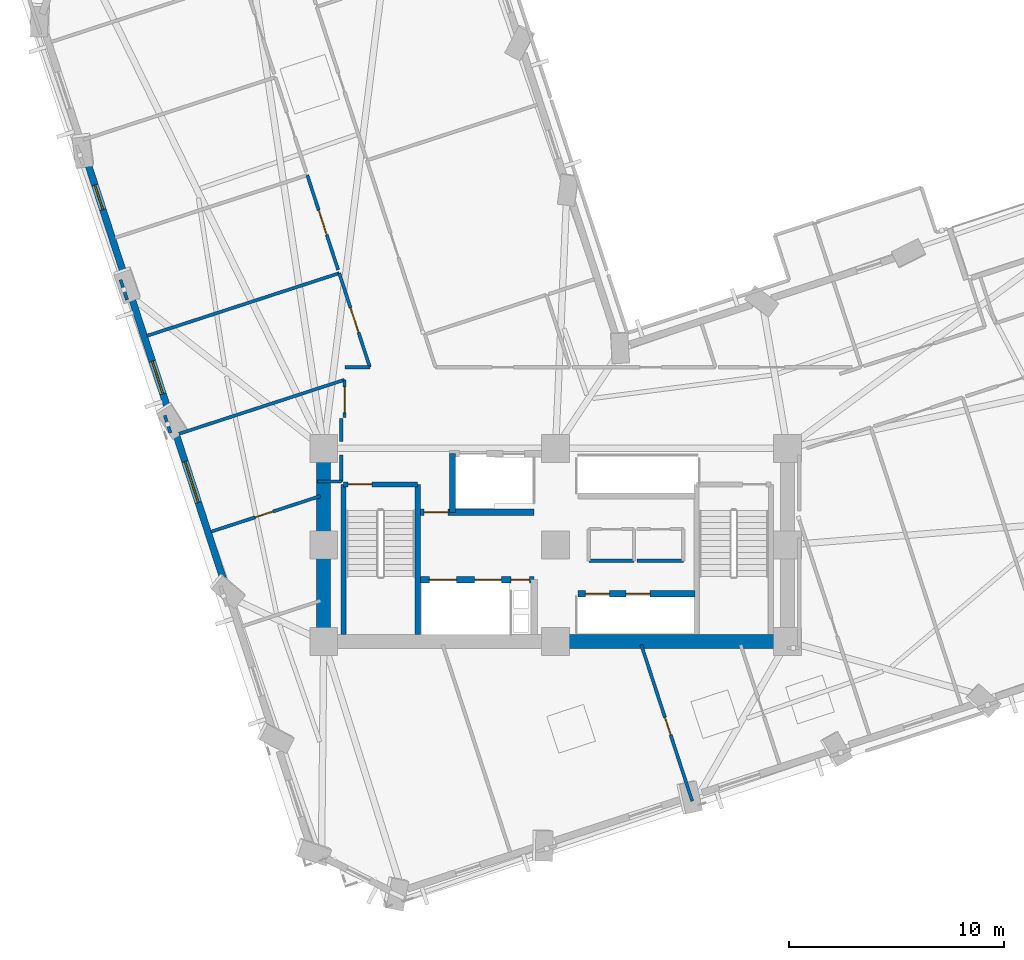
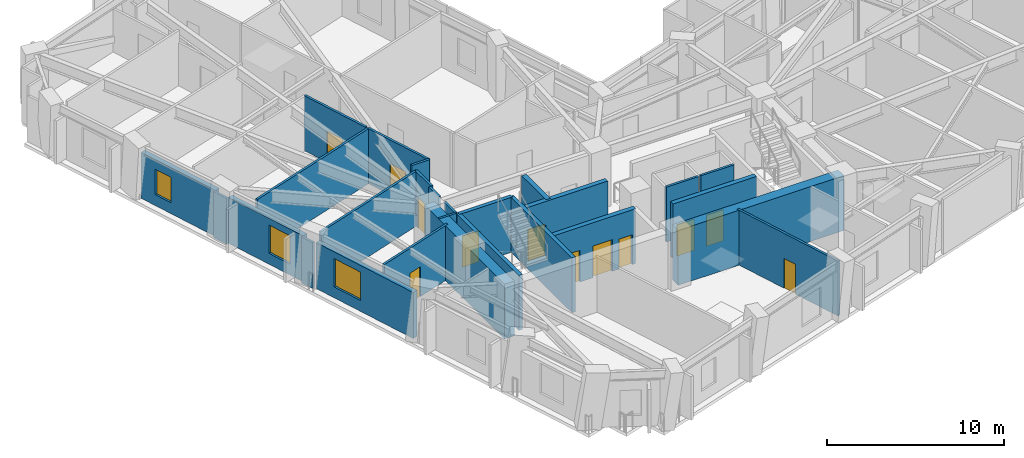
# One storey, part 7 of 16: 27 walls, 12 doors, 3 windows, 15 openings.
"""IFC4 building model written with IfcOpenShell, lengths in metres."""

from ifc_helpers import new_model, si_unit, direction, frame, frame_2d, origin, place, context, subcontext, project, spatial, rectangle, extrude, material, layer, layer_set, type_object, element, fill, save


model = new_model("IFC4")

# Units and contexts
model_context = context("Model", 3, precision=1e-05, world=origin(), true_north=direction((0.0, 1.0)))
body_context = subcontext(model_context, "Body", "Model", "MODEL_VIEW")
ifc_project = project(units=[si_unit("LENGTHUNIT", "METRE"), si_unit("AREAUNIT", "SQUARE_METRE"), si_unit("VOLUMEUNIT", "CUBIC_METRE"), si_unit("PLANEANGLEUNIT", "RADIAN"), si_unit("MASSUNIT", "GRAM", prefix="KILO")], contexts=[model_context])

# Site, building, storey
site_placement = place(None, origin())
site = spatial("IfcSite", under=ifc_project, at=site_placement, CompositionType="ELEMENT")
building_placement = place(site_placement, origin())
building = spatial("IfcBuilding", under=site, at=building_placement, Name="Gaonmaruhae Medical Tower", CompositionType="ELEMENT")
storey_placement = place(building_placement, frame((0.0, 0.0, 100.39990234375)))
storey = spatial("IfcBuildingStorey", under=building, at=storey_placement, Name="L23", CompositionType="ELEMENT", Elevation=100.39990234375)

# Walls
ifc_material_1 = material(Name="Concrete C60/75", Category="concrete")
ifc_layer_1 = layer(ifc_material_1, 0.64990234375)
ifc_layer_set_1 = layer_set([ifc_layer_1], Name="Concrete C60/75")
wall_type_1 = type_object("IfcWallType", Name="CW-650 Zone 2 Core Shear Wall", PredefinedType="SHEAR", material=ifc_layer_set_1)
wall_1_placement = place(storey_placement, frame((24.800048828125, 7.800048828125, 0.0), z_axis=(0.0, 0.0, 1.0), x_axis=(1.0, 0.0, 0.0)))
element("IfcWall", 1, at=wall_1_placement, inside=storey, type_object=wall_type_1, Name="L23 Core Shear Wall CSW-S2", PredefinedType="SHEAR", context=body_context, shape_type="SweptSolid", body=[
    extrude(rectangle(XDim=10.800048828125, YDim=0.64990234375, at=frame_2d((5.39990234375, 0.0))), origin(), (0.0, 0.0, 1.0), 3.780029296875),
])
wall_2_placement = place(storey_placement, frame((14.0, 16.800048828125, 0.0), z_axis=(0.0, 0.0, 1.0), x_axis=(0.0, -1.0, 0.0)))
element("IfcWall", 2, at=wall_2_placement, inside=storey, type_object=wall_type_1, Name="L23 Core Shear Wall CSW-W1", PredefinedType="SHEAR", context=body_context, shape_type="SweptSolid", body=[
    extrude(rectangle(XDim=9.0, YDim=0.64990234375, at=frame_2d((4.5, 0.0))), origin(), (0.0, 0.0, 1.0), 3.780029296875),
])

# Wall, opening, window
ifc_material_2 = material(Name="Precast concrete C45/55", Category="concrete")
ifc_layer_2 = layer(ifc_material_2, 0.320068359375)
ifc_layer_set_2 = layer_set([ifc_layer_2], Name="Precast concrete C45/55")
wall_type_2 = type_object("IfcWallType", Name="EW-320 Lower Precast Masonry-Frame Facade Wall", PredefinedType="SOLIDWALL", material=ifc_layer_set_2)
wall_3_placement = place(storey_placement, frame((4.754638671875, 24.7216796875, 0.0), z_axis=(0.0, 0.0, 1.0), x_axis=(-0.309830500862, 0.950791807251, 0.0)))
wall_3 = element("IfcWall", 3, at=wall_3_placement, inside=storey, type_object=wall_type_2, Name="L23 Precast Masonry-Frame Wall W02-W03", PredefinedType="SOLIDWALL", context=body_context, shape_type="SweptSolid", body=[
    extrude(rectangle(XDim=5.627685546875, YDim=0.320068359375, at=frame_2d((2.81396484375, 0.0))), origin(), (0.0, 0.0, 1.0), 3.1650390625),
])
opening_1_placement = place(wall_3_placement, frame((3.36328125, 0.0, 0.75)))
opening_1 = element("IfcOpeningElement", 4, at=opening_1_placement, cuts=wall_3, Name="Opening WN-05", PredefinedType="OPENING", context=body_context, shape_type="SweptSolid", body=[
    extrude(rectangle(XDim=1.199951171875, YDim=1.75, at=frame_2d((0.60009765625, 0.875))), frame((0.0, 0.169921875, 0.0), z_axis=(0.0, -1.0, 0.0), x_axis=(1.0, 0.0, 0.0)), (0.0, 0.0, 1.0), 0.340087890625),
])
ifc_material_3 = material(Name="Anodised aluminium and Low-E double glazing", Category="aluminium")
window_type_1 = type_object("IfcWindowType", Name="WN-05 Support & Staff Punched Window 1200x1750", PartitioningType="SINGLE_PANEL", PredefinedType="WINDOW", material=ifc_material_3)
window_1_placement = place(opening_1_placement, origin())
window_1 = element("IfcWindow", 5, at=window_1_placement, inside=storey, type_object=window_type_1, Name="L23 Modular Facade Window W02", OverallHeight=1.75, OverallWidth=1.199951171875, PartitioningType="SINGLE_PANEL", PredefinedType="WINDOW", context=body_context, shape_type="SweptSolid", body=[
    extrude(rectangle(XDim=1.199951171875, YDim=1.75, at=frame_2d((0.60009765625, 0.875))), frame((0.0, 0.030029296875, 0.0), z_axis=(0.0, -1.0, 0.0), x_axis=(1.0, 0.0, 0.0)), (0.0, 0.0, 1.0), 0.06005859375),
])
fill(opening_1, window_1)

wall_4_placement = place(storey_placement, frame((6.813720703125, 18.40380859375, 0.0), z_axis=(0.0, 0.0, 1.0), x_axis=(-0.309882496641, 0.950774862034, 0.0)))
wall_4 = element("IfcWall", 6, at=wall_4_placement, inside=storey, type_object=wall_type_2, Name="L23 Precast Masonry-Frame Wall W03-W04", PredefinedType="SOLIDWALL", context=body_context, shape_type="SweptSolid", body=[
    extrude(rectangle(XDim=5.662353515625, YDim=0.320068359375, at=frame_2d((2.8310546875, 0.0))), origin(), (0.0, 0.0, 1.0), 3.1650390625),
])
opening_2_placement = place(wall_4_placement, frame((0.98583984375, 0.0, 0.75)))
opening_2 = element("IfcOpeningElement", 7, at=opening_2_placement, cuts=wall_4, Name="Opening WN-01", PredefinedType="OPENING", context=body_context, shape_type="SweptSolid", body=[
    extrude(rectangle(XDim=1.60009765625, YDim=1.949951171875, at=frame_2d((0.800048828125, 0.97509765625))), frame((0.0, 0.169921875, 0.0), z_axis=(0.0, -1.0, 0.0), x_axis=(1.0, 0.0, 0.0)), (0.0, 0.0, 1.0), 0.340087890625),
])
window_type_2 = type_object("IfcWindowType", Name="WN-01 Ward Punched Acoustic Window 1600x1950", PartitioningType="SINGLE_PANEL", PredefinedType="WINDOW", material=ifc_material_3)
window_2_placement = place(opening_2_placement, origin())
window_2 = element("IfcWindow", 8, at=window_2_placement, inside=storey, type_object=window_type_2, Name="L23 Modular Facade Window W03", OverallHeight=1.949951171875, OverallWidth=1.60009765625, PartitioningType="SINGLE_PANEL", PredefinedType="WINDOW", context=body_context, shape_type="SweptSolid", body=[
    extrude(rectangle(XDim=1.60009765625, YDim=1.949951171875, at=frame_2d((0.800048828125, 0.97509765625))), frame((0.0, 0.030029296875, 0.0), z_axis=(0.0, -1.0, 0.0), x_axis=(1.0, 0.0, 0.0)), (0.0, 0.0, 1.0), 0.06005859375),
])
fill(opening_2, window_2)

wall_5_placement = place(storey_placement, frame((9.401611328125, 10.462646484375, 0.0), z_axis=(0.0, 0.0, 1.0), x_axis=(-0.309842005691, 0.950788058144, 0.0)))
wall_5 = element("IfcWall", 9, at=wall_5_placement, inside=storey, type_object=wall_type_2, Name="L23 Precast Masonry-Frame Wall W04-W05", PredefinedType="SOLIDWALL", context=body_context, shape_type="SweptSolid", body=[
    extrude(rectangle(XDim=7.3603515625, YDim=0.320068359375, at=frame_2d((3.68017578125, 0.0))), origin(), (0.0, 0.0, 1.0), 3.1650390625),
])
opening_3_placement = place(wall_5_placement, frame((4.013916015625, 0.0, 0.75)))
opening_3 = element("IfcOpeningElement", 10, at=opening_3_placement, cuts=wall_5, Name="Opening WN-02", PredefinedType="OPENING", context=body_context, shape_type="SweptSolid", body=[
    extrude(rectangle(XDim=2.0, YDim=1.949951171875, at=frame_2d((1.0, 0.97509765625))), frame((0.0, 0.169921875, 0.0), z_axis=(0.0, -1.0, 0.0), x_axis=(1.0, 0.0, 0.0)), (0.0, 0.0, 1.0), 0.340087890625),
])
window_type_3 = type_object("IfcWindowType", Name="WN-02 Double-Bed Ward Punched Window 2000x1950", PartitioningType="SINGLE_PANEL", PredefinedType="WINDOW", material=ifc_material_3)
window_3_placement = place(opening_3_placement, origin())
window_3 = element("IfcWindow", 11, at=window_3_placement, inside=storey, type_object=window_type_3, Name="L23 Modular Facade Window W04", OverallHeight=1.949951171875, OverallWidth=2.0, PartitioningType="SINGLE_PANEL", PredefinedType="WINDOW", context=body_context, shape_type="SweptSolid", body=[
    extrude(rectangle(XDim=2.0, YDim=1.949951171875, at=frame_2d((1.0, 0.97509765625))), frame((0.0, 0.030029296875, 0.0), z_axis=(0.0, -1.0, 0.0), x_axis=(1.0, 0.0, 0.0)), (0.0, 0.0, 1.0), 0.06005859375),
])
fill(opening_3, window_3)

# Walls
ifc_material_4 = material(Name="Gypsum board partition", Category="gypsum")
ifc_layer_3 = layer(ifc_material_4, 0.14990234375)
ifc_layer_set_3 = layer_set([ifc_layer_3], Name="Gypsum board partition")
wall_type_3 = type_object("IfcWallType", Name="PW-150 Rated Clinical Corridor Partition", PredefinedType="PARTITIONING", material=ifc_layer_set_3)
wall_6_placement = place(storey_placement, frame((28.449951171875, 11.56005859375, 0.0), z_axis=(0.0, 0.0, 1.0), x_axis=(-1.0, 0.0, 0.0)))
element("IfcWall", 12, at=wall_6_placement, inside=storey, type_object=wall_type_3, Name="L23 Interior Partition L23-CS1-4", PredefinedType="PARTITIONING", context=body_context, shape_type="SweptSolid", body=[
    extrude(rectangle(XDim=2.099853515625, YDim=0.14990234375, at=frame_2d((1.0498046875, 0.0))), origin(), (0.0, 0.0, 1.0), 3.780029296875),
])
wall_7_placement = place(storey_placement, frame((30.75, 11.56005859375, 0.0), z_axis=(0.0, 0.0, 1.0), x_axis=(-1.0, 0.0, 0.0)))
element("IfcWall", 13, at=wall_7_placement, inside=storey, type_object=wall_type_3, Name="L23 Interior Partition L23-CS2-7", PredefinedType="PARTITIONING", context=body_context, shape_type="SweptSolid", body=[
    extrude(rectangle(XDim=2.14990234375, YDim=0.14990234375, at=frame_2d((1.074951171875, 0.0))), origin(), (0.0, 0.0, 1.0), 3.780029296875),
])

# Wall, opening, door
wall_8_placement = place(storey_placement, frame((28.79296875, 7.64794921875, 0.0), z_axis=(0.0, 0.0, 1.0), x_axis=(0.309844655653, -0.950787194573, 0.0)))
wall_8 = element("IfcWall", 14, at=wall_8_placement, inside=storey, type_object=wall_type_3, Name="L23 Interior Partition L23-SUP04-12", PredefinedType="PARTITIONING", context=body_context, shape_type="SweptSolid", body=[
    extrude(rectangle(XDim=7.661865234375, YDim=0.14990234375, at=frame_2d((3.8310546875, 0.0))), origin(), (0.0, 0.0, 1.0), 3.780029296875),
])
opening_4_placement = place(wall_8_placement, frame((3.55859375, 0.0, 0.0)))
opening_4 = element("IfcOpeningElement", 15, at=opening_4_placement, cuts=wall_8, Name="Opening AD-01", PredefinedType="OPENING", context=body_context, shape_type="SweptSolid", body=[
    extrude(rectangle(XDim=0.860107421875, YDim=2.06005859375, at=frame_2d((0.43017578125, 1.030029296875))), frame((0.0, 0.0849609375, 0.0), z_axis=(0.0, -1.0, 0.0), x_axis=(1.0, 0.0, 0.0)), (0.0, 0.0, 1.0), 0.169921875),
])
ifc_material_5 = material(Name="Powder-coated steel access door", Category="steel")
door_type_1 = type_object("IfcDoorType", Name="AD-01 Riser & Closet Access Fire Door 860x2060", OperationType="NOTDEFINED", PredefinedType="DOOR", material=ifc_material_5)
door_1_placement = place(opening_4_placement, origin())
door_1 = element("IfcDoor", 16, at=door_1_placement, inside=storey, type_object=door_type_1, Name="L23 Clinical Biomedical Charting Office Sliding Door", OperationType="SLIDING_TO_LEFT", OverallHeight=2.06005859375, OverallWidth=0.860107421875, PredefinedType="DOOR", context=body_context, shape_type="SweptSolid", body=[
    extrude(rectangle(XDim=0.860107421875, YDim=2.06005859375, at=frame_2d((0.43017578125, 1.030029296875))), frame((0.0, 0.02490234375, 0.0), z_axis=(0.0, -1.0, 0.0), x_axis=(1.0, 0.0, 0.0)), (0.0, 0.0, 1.0), 0.050048828125),
])
fill(opening_4, door_1)

wall_9_placement = place(storey_placement, frame((8.7451171875, 12.9140625, 0.0), z_axis=(0.0, 0.0, 1.0), x_axis=(0.950790740301, 0.309833775044, 0.0)))
wall_9 = element("IfcWall", 17, at=wall_9_placement, inside=storey, type_object=wall_type_3, Name="L23 Interior Partition L23-WOF12-37", PredefinedType="PARTITIONING", context=body_context, shape_type="SweptSolid", body=[
    extrude(rectangle(XDim=5.366943359375, YDim=0.14990234375, at=frame_2d((2.68359375, 0.0))), origin(), (0.0, 0.0, 1.0), 3.780029296875),
])
opening_5_placement = place(wall_9_placement, frame((2.17578125, 0.0, 0.0)))
opening_5 = element("IfcOpeningElement", 18, at=opening_5_placement, cuts=wall_9, Name="Opening AD-01", PredefinedType="OPENING", context=body_context, shape_type="SweptSolid", body=[
    extrude(rectangle(XDim=0.860107421875, YDim=2.06005859375, at=frame_2d((0.43017578125, 1.030029296875))), frame((0.0, 0.0849609375, 0.0), z_axis=(0.0, -1.0, 0.0), x_axis=(1.0, 0.0, 0.0)), (0.0, 0.0, 1.0), 0.169921875),
])
door_2_placement = place(opening_5_placement, origin())
door_2 = element("IfcDoor", 19, at=door_2_placement, inside=storey, type_object=door_type_1, Name="L23 Ward Physician Reporting Office Sliding Door", OperationType="SLIDING_TO_LEFT", OverallHeight=2.06005859375, OverallWidth=0.860107421875, PredefinedType="DOOR", context=body_context, shape_type="SweptSolid", body=[
    extrude(rectangle(XDim=0.860107421875, YDim=2.06005859375, at=frame_2d((0.43017578125, 1.030029296875))), frame((0.0, 0.02490234375, 0.0), z_axis=(0.0, -1.0, 0.0), x_axis=(1.0, 0.0, 0.0)), (0.0, 0.0, 1.0), 0.050048828125),
])
fill(opening_5, door_2)

# Walls
wall_10_placement = place(storey_placement, frame((14.820068359375, 18.199951171875, 0.0), z_axis=(0.0, 0.0, 1.0), x_axis=(0.0, -1.0, 0.0)))
element("IfcWall", 20, at=wall_10_placement, inside=storey, type_object=wall_type_3, Name="L23 Interior Partition L23-WCL13-39", PredefinedType="PARTITIONING", context=body_context, shape_type="SweptSolid", body=[
    extrude(rectangle(XDim=1.091064453125, YDim=0.14990234375, at=frame_2d((0.54541015625, 0.0))), origin(), (0.0, 0.0, 1.0), 3.780029296875),
])
wall_11_placement = place(storey_placement, frame((14.820068359375, 16.490966796875, 0.0), z_axis=(0.0, 0.0, 1.0), x_axis=(0.0, -1.0, 0.0)))
element("IfcWall", 21, at=wall_11_placement, inside=storey, type_object=wall_type_3, Name="L23 Interior Partition L23-WCL13-40", PredefinedType="PARTITIONING", context=body_context, shape_type="SweptSolid", body=[
    extrude(rectangle(XDim=1.23095703125, YDim=0.14990234375, at=frame_2d((0.615478515625, 0.0))), origin(), (0.0, 0.0, 1.0), 3.780029296875),
])
wall_12_placement = place(storey_placement, frame((14.820068359375, 15.260009765625, 0.0), z_axis=(0.0, 0.0, 1.0), x_axis=(-1.0, 0.0, 0.0)))
element("IfcWall", 22, at=wall_12_placement, inside=storey, type_object=wall_type_3, Name="L23 Interior Partition L23-WCL13-41", PredefinedType="PARTITIONING", context=body_context, shape_type="SweptSolid", body=[
    extrude(rectangle(XDim=1.1201171875, YDim=0.14990234375, at=frame_2d((0.56005859375, 0.0))), origin(), (0.0, 0.0, 1.0), 3.780029296875),
])
wall_13_placement = place(storey_placement, frame((7.258056640625, 17.47705078125, 0.0), z_axis=(0.0, 0.0, 1.0), x_axis=(0.95076030653, 0.309927151967, 0.0)))
element("IfcWall", 23, at=wall_13_placement, inside=storey, type_object=wall_type_3, Name="L23 Interior Partition L23-WCL13-42", PredefinedType="PARTITIONING", context=body_context, shape_type="SweptSolid", body=[
    extrude(rectangle(XDim=8.111328125, YDim=0.14990234375, at=frame_2d((4.0556640625, 0.0))), origin(), (0.0, 0.0, 1.0), 3.780029296875),
])

# Wall, opening, door
wall_14_placement = place(storey_placement, frame((14.969970703125, 19.990966796875, 0.0), z_axis=(0.0, 0.0, 1.0), x_axis=(0.0, -1.0, 0.0)))
wall_14 = element("IfcWall", 24, at=wall_14_placement, inside=storey, type_object=wall_type_3, Name="L23 Interior Partition L23-WCL13-43", PredefinedType="PARTITIONING", context=body_context, shape_type="SweptSolid", body=[
    extrude(rectangle(XDim=1.760986328125, YDim=0.14990234375, at=frame_2d((0.88037109375, 0.0))), origin(), (0.0, 0.0, 1.0), 3.780029296875),
])
opening_6_placement = place(wall_14_placement, frame((0.32861328125, 0.0, 0.0)))
opening_6 = element("IfcOpeningElement", 25, at=opening_6_placement, cuts=wall_14, Name="Opening CD-02", PredefinedType="OPENING", context=body_context, shape_type="SweptSolid", body=[
    extrude(rectangle(XDim=1.199951171875, YDim=2.14990234375, at=frame_2d((0.60009765625, 1.074951171875))), frame((0.0, 0.0849609375, 0.0), z_axis=(0.0, -1.0, 0.0), x_axis=(1.0, 0.0, 0.0)), (0.0, 0.0, 1.0), 0.169921875),
])
ifc_material_6 = material(Name="Antimicrobial laminate timber fire door", Category="wood")
door_type_2 = type_object("IfcDoorType", Name="CD-02 Clinical Treatment & Procedure Door 1200x2150", OperationType="NOTDEFINED", PredefinedType="DOOR", material=ifc_material_6)
door_3_placement = place(opening_6_placement, origin())
door_3 = element("IfcDoor", 26, at=door_3_placement, inside=storey, type_object=door_type_2, Name="L23 Specialist Consultation Office Door", OperationType="SINGLE_SWING_LEFT", OverallHeight=2.14990234375, OverallWidth=1.199951171875, PredefinedType="DOOR", context=body_context, shape_type="SweptSolid", body=[
    extrude(rectangle(XDim=1.199951171875, YDim=2.14990234375, at=frame_2d((0.60009765625, 1.074951171875))), frame((0.0, 0.02490234375, 0.0), z_axis=(0.0, -1.0, 0.0), x_axis=(1.0, 0.0, 0.0)), (0.0, 0.0, 1.0), 0.050048828125),
])
fill(opening_6, door_3)

# Walls
wall_15_placement = place(storey_placement, frame((6.861083984375, 17.51708984375, 0.0), z_axis=(0.0, 0.0, 1.0), x_axis=(-0.310076497617, 0.950711610125, 0.0)))
element("IfcWall", 27, at=wall_15_placement, inside=storey, type_object=wall_type_3, Name="L23 Interior Partition L23-WOF14-44", PredefinedType="PARTITIONING", context=body_context, shape_type="SweptSolid", body=[
    extrude(rectangle(XDim=0.858154296875, YDim=0.14990234375, at=frame_2d((0.42919921875, 0.0))), origin(), (0.0, 0.0, 1.0), 3.1650390625),
])
wall_16_placement = place(storey_placement, frame((5.77001953125, 22.041015625, 0.0), z_axis=(0.0, 0.0, 1.0), x_axis=(0.95079577972, 0.309818310091, 0.0)))
element("IfcWall", 28, at=wall_16_placement, inside=storey, type_object=wall_type_3, Name="L23 Interior Partition L23-WOF14-45", PredefinedType="PARTITIONING", context=body_context, shape_type="SweptSolid", body=[
    extrude(rectangle(XDim=9.415283203125, YDim=0.14990234375, at=frame_2d((4.70751953125, 0.0))), origin(), (0.0, 0.0, 1.0), 3.780029296875),
])

# Wall, opening, door
wall_17_placement = place(storey_placement, frame((14.721923828125, 24.9580078125, 0.0), z_axis=(0.0, 0.0, 1.0), x_axis=(0.309905994954, -0.950767202995, 0.0)))
wall_17 = element("IfcWall", 29, at=wall_17_placement, inside=storey, type_object=wall_type_3, Name="L23 Interior Partition L23-WOF14-46", PredefinedType="PARTITIONING", context=body_context, shape_type="SweptSolid", body=[
    extrude(rectangle(XDim=4.604736328125, YDim=0.14990234375, at=frame_2d((2.30224609375, 0.0))), origin(), (0.0, 0.0, 1.0), 3.780029296875),
])
opening_7_placement = place(wall_17_placement, frame((1.702392578125, 0.0, 0.0)))
opening_7 = element("IfcOpeningElement", 30, at=opening_7_placement, cuts=wall_17, Name="Opening CD-02", PredefinedType="OPENING", context=body_context, shape_type="SweptSolid", body=[
    extrude(rectangle(XDim=1.199951171875, YDim=2.14990234375, at=frame_2d((0.60009765625, 1.074951171875))), frame((0.0, 0.0849609375, 0.0), z_axis=(0.0, -1.0, 0.0), x_axis=(1.0, 0.0, 0.0)), (0.0, 0.0, 1.0), 0.169921875),
])
door_4_placement = place(opening_7_placement, origin())
door_4 = element("IfcDoor", 31, at=door_4_placement, inside=storey, type_object=door_type_2, Name="L23 Ward Physician Reporting Office Door", OperationType="SINGLE_SWING_LEFT", OverallHeight=2.14990234375, OverallWidth=1.199951171875, PredefinedType="DOOR", context=body_context, shape_type="SweptSolid", body=[
    extrude(rectangle(XDim=1.199951171875, YDim=2.14990234375, at=frame_2d((0.60009765625, 1.074951171875))), frame((0.0, 0.02490234375, 0.0), z_axis=(0.0, -1.0, 0.0), x_axis=(1.0, 0.0, 0.0)), (0.0, 0.0, 1.0), 0.050048828125),
])
fill(opening_7, door_4)

# Wall
wall_18_placement = place(storey_placement, frame((16.14892578125, 20.580078125, 0.0), z_axis=(0.0, 0.0, 1.0), x_axis=(-1.0, 0.0, 0.0)))
element("IfcWall", 32, at=wall_18_placement, inside=storey, type_object=wall_type_3, Name="L23 Interior Partition L23-WOF14-47", PredefinedType="PARTITIONING", context=body_context, shape_type="SweptSolid", body=[
    extrude(rectangle(XDim=1.15185546875, YDim=0.14990234375, at=frame_2d((0.575927734375, 0.0))), origin(), (0.0, 0.0, 1.0), 3.780029296875),
])

# Wall, opening, door
wall_19_placement = place(storey_placement, frame((13.235107421875, 29.52197265625, 0.0), z_axis=(0.0, 0.0, 1.0), x_axis=(0.309763095605, -0.950813769674, 0.0)))
wall_19 = element("IfcWall", 33, at=wall_19_placement, inside=storey, type_object=wall_type_3, Name="L23 Interior Partition L23-WOF15-49", PredefinedType="PARTITIONING", context=body_context, shape_type="SweptSolid", body=[
    extrude(rectangle(XDim=4.63916015625, YDim=0.14990234375, at=frame_2d((2.319580078125, 0.0))), origin(), (0.0, 0.0, 1.0), 3.780029296875),
])
opening_8_placement = place(wall_19_placement, frame((1.719482421875, 0.0, 0.0)))
opening_8 = element("IfcOpeningElement", 34, at=opening_8_placement, cuts=wall_19, Name="Opening CD-02", PredefinedType="OPENING", context=body_context, shape_type="SweptSolid", body=[
    extrude(rectangle(XDim=1.199951171875, YDim=2.14990234375, at=frame_2d((0.60009765625, 1.074951171875))), frame((0.0, 0.0849609375, 0.0), z_axis=(0.0, -1.0, 0.0), x_axis=(1.0, 0.0, 0.0)), (0.0, 0.0, 1.0), 0.169921875),
])
door_5_placement = place(opening_8_placement, origin())
door_5 = element("IfcDoor", 35, at=door_5_placement, inside=storey, type_object=door_type_2, Name="L23 Ward Physician Reporting Office Door", OperationType="SINGLE_SWING_RIGHT", OverallHeight=2.14990234375, OverallWidth=1.199951171875, PredefinedType="DOOR", context=body_context, shape_type="SweptSolid", body=[
    extrude(rectangle(XDim=1.199951171875, YDim=2.14990234375, at=frame_2d((0.60009765625, 1.074951171875))), frame((0.0, 0.02490234375, 0.0), z_axis=(0.0, -1.0, 0.0), x_axis=(1.0, 0.0, 0.0)), (0.0, 0.0, 1.0), 0.050048828125),
])
fill(opening_8, door_5)

# Wall
wall_20_placement = place(storey_placement, frame((4.841064453125, 23.716064453125, 0.0), z_axis=(0.0, 0.0, 1.0), x_axis=(-0.310630917066, 0.950530606221, 0.0)))
element("IfcWall", 36, at=wall_20_placement, inside=storey, type_object=wall_type_3, Name="L23 Interior Partition L23-WOF15-50", PredefinedType="PARTITIONING", context=body_context, shape_type="SweptSolid", body=[
    extrude(rectangle(XDim=0.982421875, YDim=0.14990234375, at=frame_2d((0.4912109375, 0.0))), origin(), (0.0, 0.0, 1.0), 3.1650390625),
])

# Wall, opening, door
ifc_material_7 = material(Name="Concrete C50/60", Category="concrete")
ifc_layer_4 = layer(ifc_material_7, 0.239990234375)
ifc_layer_set_4 = layer_set([ifc_layer_4], Name="Concrete C50/60")
wall_type_4 = type_object("IfcWallType", Name="SW-240 Dogleg Stair Tight Shaft Wall", PredefinedType="SOLIDWALL", material=ifc_layer_set_4)
wall_21_placement = place(storey_placement, frame((14.919921875, 15.1201171875, 0.0), z_axis=(0.0, 0.0, 1.0), x_axis=(1.0, 0.0, 0.0)))
wall_21 = element("IfcWall", 37, at=wall_21_placement, inside=storey, type_object=wall_type_4, Name="L23 ST-01 Stair Shaft Wall SHW-ST-01-N", PredefinedType="SOLIDWALL", context=body_context, shape_type="SweptSolid", body=[
    extrude(rectangle(XDim=3.4599609375, YDim=0.239990234375, at=frame_2d((1.72998046875, 0.0))), origin(), (0.0, 0.0, 1.0), 3.780029296875),
])
opening_9_placement = place(wall_21_placement, frame((0.219970703125, 0.0, 0.0)))
opening_9 = element("IfcOpeningElement", 38, at=opening_9_placement, cuts=wall_21, Name="Opening FD-01", PredefinedType="OPENING", context=body_context, shape_type="SweptSolid", body=[
    extrude(rectangle(XDim=1.10009765625, YDim=2.14990234375, at=frame_2d((0.550048828125, 1.074951171875))), frame((0.0, 0.1298828125, 0.0), z_axis=(0.0, -1.0, 0.0), x_axis=(1.0, 0.0, 0.0)), (0.0, 0.0, 1.0), 0.260009765625),
])
ifc_material_8 = material(Name="Powder-coated steel fire door", Category="steel")
door_type_3 = type_object("IfcDoorType", Name="FD-01 Escape Stair Protected Fire Door 1100x2150", OperationType="NOTDEFINED", PredefinedType="DOOR", material=ifc_material_8)
door_6_placement = place(opening_9_placement, origin())
door_6 = element("IfcDoor", 39, at=door_6_placement, inside=storey, type_object=door_type_3, Name="L23 ST-01 Protected Escape Stair Door", OperationType="SINGLE_SWING_LEFT", OverallHeight=2.14990234375, OverallWidth=1.10009765625, PredefinedType="DOOR", context=body_context, shape_type="SweptSolid", body=[
    extrude(rectangle(XDim=1.10009765625, YDim=2.14990234375, at=frame_2d((0.550048828125, 1.074951171875))), frame((0.0, 0.02490234375, 0.0), z_axis=(0.0, -1.0, 0.0), x_axis=(1.0, 0.0, 0.0)), (0.0, 0.0, 1.0), 0.050048828125),
])
fill(opening_9, door_6)

# Walls
for number, where, z_axis, x_axis, name in (
    (40, (18.3798828125, 15.1201171875, 0.0), (0.0, 0.0, 1.0), (0.0, -1.0, 0.0), "L23 ST-01 Stair Shaft Wall SHW-ST-01-E"),
    (41, (14.919921875, 8.125, 0.0), (0.0, 0.0, 1.0), (0.0, 1.0, 0.0), "L23 ST-01 Stair Shaft Wall SHW-ST-01-W"),
):
    element("IfcWall", number, at=place(storey_placement, frame(where, z_axis=z_axis, x_axis=x_axis)), inside=storey, type_object=wall_type_4, Name=name, PredefinedType="SOLIDWALL", context=body_context, shape_type="SweptSolid", body=[
        extrude(rectangle(XDim=6.9951171875, YDim=0.239990234375, at=frame_2d((3.49755859375, 0.0))), origin(), (0.0, 0.0, 1.0), 3.780029296875),
    ])

# Wall, openings, doors
ifc_layer_5 = layer(ifc_material_7, 0.300048828125)
ifc_layer_set_5 = layer_set([ifc_layer_5], Name="Concrete C50/60")
wall_type_5 = type_object("IfcWallType", Name="SW-300 Stair & Lift Hoistway Shaft Wall", PredefinedType="SOLIDWALL", material=ifc_layer_set_5)
wall_22_placement = place(storey_placement, frame((18.5, 10.679931640625, 0.0), z_axis=(0.0, 0.0, 1.0), x_axis=(1.0, 0.0, 0.0)))
wall_22 = element("IfcWall", 42, at=wall_22_placement, inside=storey, type_object=wall_type_5, Name="L23 Shaft Enclosure Wall SHW-FFN", PredefinedType="SOLIDWALL", context=body_context, shape_type="SweptSolid", body=[
    extrude(rectangle(XDim=5.300048828125, YDim=0.300048828125, at=frame_2d((2.64990234375, 0.0))), origin(), (0.0, 0.0, 1.0), 3.780029296875),
])
opening_10_placement = place(wall_22_placement, frame((4.219970703125, 0.0, 0.0)))
opening_10 = element("IfcOpeningElement", 43, at=opening_10_placement, cuts=wall_22, Name="Opening AD-01", PredefinedType="OPENING", context=body_context, shape_type="SweptSolid", body=[
    extrude(rectangle(XDim=0.860107421875, YDim=2.06005859375, at=frame_2d((0.43017578125, 1.030029296875))), frame((0.0, 0.16015625, 0.0), z_axis=(0.0, -1.0, 0.0), x_axis=(1.0, 0.0, 0.0)), (0.0, 0.0, 1.0), 0.320068359375),
])
opening_11_placement = place(wall_22_placement, frame((0.425048828125, 0.0, 0.0)))
opening_11 = element("IfcOpeningElement", 44, at=opening_11_placement, cuts=wall_22, Name="Opening LD-F1", PredefinedType="OPENING", context=body_context, shape_type="SweptSolid", body=[
    extrude(rectangle(XDim=1.25, YDim=2.179931640625, at=frame_2d((0.625, 1.08984375))), frame((0.0, 0.16015625, 0.0), z_axis=(0.0, -1.0, 0.0), x_axis=(1.0, 0.0, 0.0)), (0.0, 0.0, 1.0), 0.320068359375),
])
opening_12_placement = place(wall_22_placement, frame((2.52490234375, 0.0, 0.0)))
opening_12 = element("IfcOpeningElement", 45, at=opening_12_placement, cuts=wall_22, Name="Opening LD-F1", PredefinedType="OPENING", context=body_context, shape_type="SweptSolid", body=[
    extrude(rectangle(XDim=1.25, YDim=2.179931640625, at=frame_2d((0.625, 1.08984375))), frame((0.0, 0.16015625, 0.0), z_axis=(0.0, -1.0, 0.0), x_axis=(1.0, 0.0, 0.0)), (0.0, 0.0, 1.0), 0.320068359375),
])
door_7_placement = place(opening_10_placement, origin())
door_7 = element("IfcDoor", 46, at=door_7_placement, inside=storey, type_object=door_type_1, Name="L23 Medical Gas and MEP Riser Access Door", OperationType="SINGLE_SWING_RIGHT", OverallHeight=2.06005859375, OverallWidth=0.860107421875, PredefinedType="DOOR", context=body_context, shape_type="SweptSolid", body=[
    extrude(rectangle(XDim=0.860107421875, YDim=2.06005859375, at=frame_2d((0.43017578125, 1.030029296875))), frame((0.0, 0.02490234375, 0.0), z_axis=(0.0, -1.0, 0.0), x_axis=(1.0, 0.0, 0.0)), (0.0, 0.0, 1.0), 0.050048828125),
])
fill(opening_10, door_7)
ifc_material_9 = material(Name="Brushed stainless steel 316L landing door", Category="steel")
door_type_4 = type_object("IfcDoorType", Name="LD-F1 Firefighting & Bed Lift Sliding Landing Door 1250x2180", OperationType="NOTDEFINED", PredefinedType="DOOR", material=ifc_material_9)
door_8_placement = place(opening_11_placement, origin())
door_8 = element("IfcDoor", 47, at=door_8_placement, inside=storey, type_object=door_type_4, Name="L23 Firefighting Lift Landing Door FFL-01", OperationType="DOUBLE_DOOR_SLIDING", OverallHeight=2.179931640625, OverallWidth=1.25, PredefinedType="DOOR", context=body_context, shape_type="SweptSolid", body=[
    extrude(rectangle(XDim=1.25, YDim=2.179931640625, at=frame_2d((0.625, 1.08984375))), frame((0.0, 0.02490234375, 0.0), z_axis=(0.0, -1.0, 0.0), x_axis=(1.0, 0.0, 0.0)), (0.0, 0.0, 1.0), 0.050048828125),
])
fill(opening_11, door_8)
door_9_placement = place(opening_12_placement, origin())
door_9 = element("IfcDoor", 48, at=door_9_placement, inside=storey, type_object=door_type_4, Name="L23 Firefighting Lift Landing Door FFL-02", OperationType="DOUBLE_DOOR_SLIDING", OverallHeight=2.179931640625, OverallWidth=1.25, PredefinedType="DOOR", context=body_context, shape_type="SweptSolid", body=[
    extrude(rectangle(XDim=1.25, YDim=2.179931640625, at=frame_2d((0.625, 1.08984375))), frame((0.0, 0.02490234375, 0.0), z_axis=(0.0, -1.0, 0.0), x_axis=(1.0, 0.0, 0.0)), (0.0, 0.0, 1.0), 0.050048828125),
])
fill(opening_12, door_9)

# Wall, opening, door
wall_23_placement = place(storey_placement, frame((18.5, 13.820068359375, 0.0), z_axis=(0.0, 0.0, 1.0), x_axis=(1.0, 0.0, 0.0)))
wall_23 = element("IfcWall", 49, at=wall_23_placement, inside=storey, type_object=wall_type_5, Name="L23 Shaft Enclosure Wall SHW-FFL", PredefinedType="SOLIDWALL", context=body_context, shape_type="SweptSolid", body=[
    extrude(rectangle(XDim=5.300048828125, YDim=0.300048828125, at=frame_2d((2.64990234375, 0.0))), origin(), (0.0, 0.0, 1.0), 3.780029296875),
])
opening_13_placement = place(wall_23_placement, frame((0.179931640625, 0.0, 0.0)))
opening_13 = element("IfcOpeningElement", 50, at=opening_13_placement, cuts=wall_23, Name="Opening FD-01", PredefinedType="OPENING", context=body_context, shape_type="SweptSolid", body=[
    extrude(rectangle(XDim=1.10009765625, YDim=2.14990234375, at=frame_2d((0.550048828125, 1.074951171875))), frame((0.0, 0.16015625, 0.0), z_axis=(0.0, -1.0, 0.0), x_axis=(1.0, 0.0, 0.0)), (0.0, 0.0, 1.0), 0.320068359375),
])
door_10_placement = place(opening_13_placement, origin())
door_10 = element("IfcDoor", 51, at=door_10_placement, inside=storey, type_object=door_type_3, Name="L23 Firefighting Lobby Smoke Door", OperationType="SINGLE_SWING_LEFT", OverallHeight=2.14990234375, OverallWidth=1.10009765625, PredefinedType="DOOR", context=body_context, shape_type="SweptSolid", body=[
    extrude(rectangle(XDim=1.10009765625, YDim=2.14990234375, at=frame_2d((0.550048828125, 1.074951171875))), frame((0.0, 0.02490234375, 0.0), z_axis=(0.0, -1.0, 0.0), x_axis=(1.0, 0.0, 0.0)), (0.0, 0.0, 1.0), 0.050048828125),
])
fill(opening_13, door_10)

# Wall
wall_24_placement = place(storey_placement, frame((20.0, 13.820068359375, 0.0), z_axis=(0.0, 0.0, 1.0), x_axis=(0.0, 1.0, 0.0)))
element("IfcWall", 52, at=wall_24_placement, inside=storey, type_object=wall_type_5, Name="L23 Shaft Enclosure Wall SHW-BDW", PredefinedType="SOLIDWALL", context=body_context, shape_type="SweptSolid", body=[
    extrude(rectangle(XDim=2.72998046875, YDim=0.300048828125, at=frame_2d((1.364990234375, 0.0))), origin(), (0.0, 0.0, 1.0), 3.780029296875),
])

# Wall, openings, doors
wall_25_placement = place(storey_placement, frame((25.85009765625, 10.02001953125, 0.0), z_axis=(0.0, 0.0, 1.0), x_axis=(1.0, 0.0, 0.0)))
wall_25 = element("IfcWall", 53, at=wall_25_placement, inside=storey, type_object=wall_type_5, Name="L23 Shaft Enclosure Wall SHW-PLS", PredefinedType="SOLIDWALL", context=body_context, shape_type="SweptSolid", body=[
    extrude(rectangle(XDim=5.449951171875, YDim=0.300048828125, at=frame_2d((2.72509765625, 0.0))), origin(), (0.0, 0.0, 1.0), 3.780029296875),
])
opening_14_placement = place(wall_25_placement, frame((0.340087890625, 0.0, 0.0)))
opening_14 = element("IfcOpeningElement", 54, at=opening_14_placement, cuts=wall_25, Name="Opening LD-P1", PredefinedType="OPENING", context=body_context, shape_type="SweptSolid", body=[
    extrude(rectangle(XDim=1.1201171875, YDim=2.14990234375, at=frame_2d((0.56005859375, 1.074951171875))), frame((0.0, 0.16015625, 0.0), z_axis=(0.0, -1.0, 0.0), x_axis=(1.0, 0.0, 0.0)), (0.0, 0.0, 1.0), 0.320068359375),
])
opening_15_placement = place(wall_25_placement, frame((2.239990234375, 0.0, 0.0)))
opening_15 = element("IfcOpeningElement", 55, at=opening_15_placement, cuts=wall_25, Name="Opening LD-P1", PredefinedType="OPENING", context=body_context, shape_type="SweptSolid", body=[
    extrude(rectangle(XDim=1.1201171875, YDim=2.14990234375, at=frame_2d((0.56005859375, 1.074951171875))), frame((0.0, 0.16015625, 0.0), z_axis=(0.0, -1.0, 0.0), x_axis=(1.0, 0.0, 0.0)), (0.0, 0.0, 1.0), 0.320068359375),
])
ifc_material_10 = material(Name="Brushed stainless steel 304 landing door", Category="steel")
door_type_5 = type_object("IfcDoorType", Name="LD-P1 Passenger Lift Sliding Landing Door 1120x2150", OperationType="NOTDEFINED", PredefinedType="DOOR", material=ifc_material_10)
door_11_placement = place(opening_14_placement, origin())
door_11 = element("IfcDoor", 56, at=door_11_placement, inside=storey, type_object=door_type_5, Name="L23 Passenger Lift Landing Door PL-L1", OperationType="DOUBLE_DOOR_SLIDING", OverallHeight=2.14990234375, OverallWidth=1.1201171875, PredefinedType="DOOR", context=body_context, shape_type="SweptSolid", body=[
    extrude(rectangle(XDim=1.1201171875, YDim=2.14990234375, at=frame_2d((0.56005859375, 1.074951171875))), frame((0.0, 0.02490234375, 0.0), z_axis=(0.0, -1.0, 0.0), x_axis=(1.0, 0.0, 0.0)), (0.0, 0.0, 1.0), 0.050048828125),
])
fill(opening_14, door_11)
door_12_placement = place(opening_15_placement, origin())
door_12 = element("IfcDoor", 57, at=door_12_placement, inside=storey, type_object=door_type_5, Name="L23 Passenger Lift Landing Door PL-L2", OperationType="DOUBLE_DOOR_SLIDING", OverallHeight=2.14990234375, OverallWidth=1.1201171875, PredefinedType="DOOR", context=body_context, shape_type="SweptSolid", body=[
    extrude(rectangle(XDim=1.1201171875, YDim=2.14990234375, at=frame_2d((0.56005859375, 1.074951171875))), frame((0.0, 0.02490234375, 0.0), z_axis=(0.0, -1.0, 0.0), x_axis=(1.0, 0.0, 0.0)), (0.0, 0.0, 1.0), 0.050048828125),
])
fill(opening_15, door_12)

save(model, "model.ifc")
